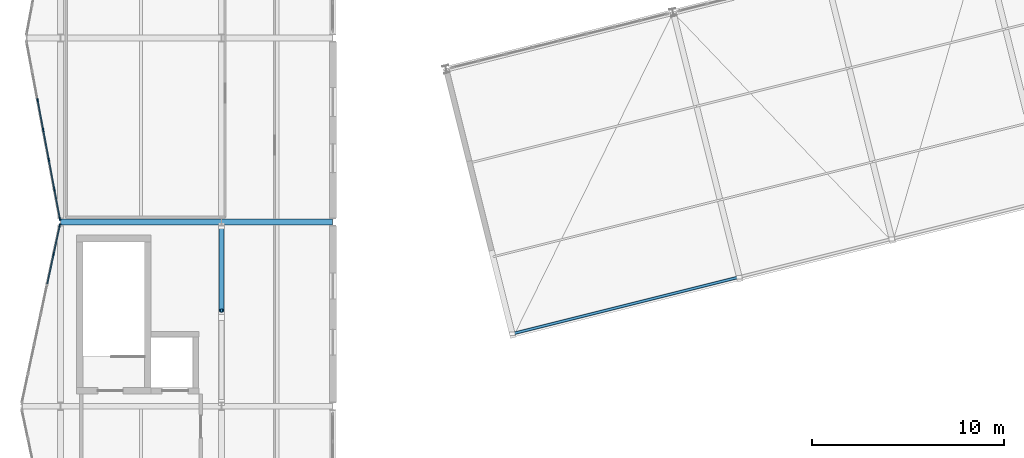
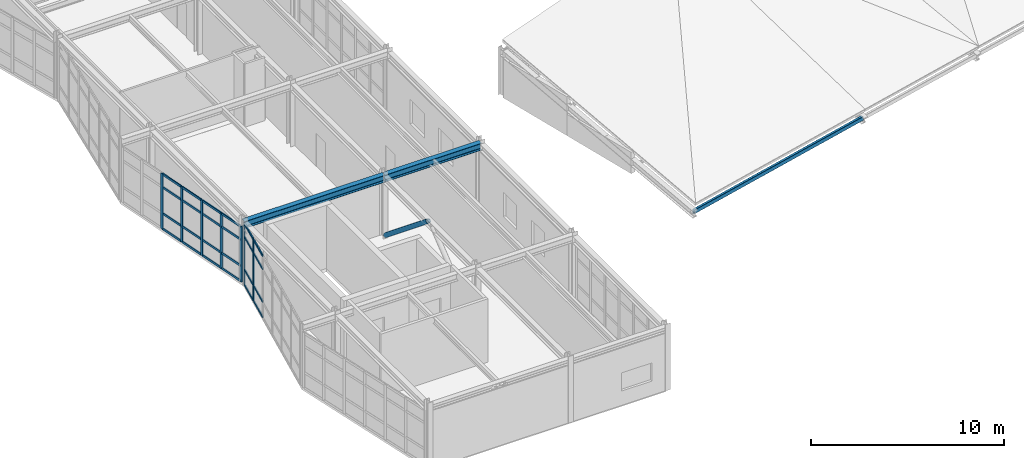
# One storey, part 8 of 47: 33 members, 2 beams, 2 elements without a shape of their own.
"""IFC4 building model written with IfcOpenShell, lengths in metres."""

from ifc_helpers import new_model, si_unit, direction, frame, origin, origin_2d, place, context, subcontext, project, spatial, rectangle, hollow_rectangle, hollow_circle, i_section, extrude, material, layer, layer_set, material_profile, profile_set, type_object, element, aggregate, save


model = new_model("IFC4")

# Units and contexts
model_context = context("Model", 3, precision=1e-05, world=origin(), true_north=direction((0.0, 1.0)))
body_context = subcontext(model_context, "Body", "Model", "MODEL_VIEW")
ifc_project = project(units=[si_unit("LENGTHUNIT", "METRE"), si_unit("AREAUNIT", "SQUARE_METRE"), si_unit("VOLUMEUNIT", "CUBIC_METRE"), si_unit("PLANEANGLEUNIT", "RADIAN"), si_unit("MASSUNIT", "GRAM", prefix="KILO")], contexts=[model_context])

# Site, building, storey
site_placement = place(None, origin())
site = spatial("IfcSite", under=ifc_project, at=site_placement, CompositionType="ELEMENT")
building_placement = place(site_placement, origin())
building = spatial("IfcBuilding", under=site, at=building_placement, Name="Nordkorset Police Headquarters", CompositionType="ELEMENT")
storey_placement = place(building_placement, frame((0.0, 0.0, 22.050048828125)))
storey = spatial("IfcBuildingStorey", under=building, at=storey_placement, Name="L05", CompositionType="ELEMENT", Elevation=22.050048828125)

# Member
ifc_material_1 = material(Name="Steel S355J2", Category="steel")
ifc_material_profile_1 = material_profile(ifc_material_1, hollow_circle(Radius=0.136474609375, WallThickness=0.012451171875, at=origin_2d()), Name="CHS 273x12.5")
ifc_profile_set_1 = profile_set([ifc_material_profile_1], Name="Steel S355J2")
member_type_1 = type_object("IfcMemberType", Name="Brace_CHS_273x12.5", PredefinedType="BRACE", material=ifc_profile_set_1)
member_1_placement = place(storey_placement, frame((8.39990234375, 47.800048828125, 0.199951171875), z_axis=(0.0, -0.777085920374, 0.629394528382), x_axis=(1.0, 0.0, 0.0)))
element("IfcMember", 1, at=member_1_placement, inside=storey, type_object=member_type_1, Name="Lateral Chevron Brace BF-V3-A L05 D2", PredefinedType="BRACE", context=body_context, shape_type="SweptSolid", body=[
    extrude(hollow_circle(Radius=0.136474609375, WallThickness=0.012451171875, at=origin_2d()), origin(), (0.0, 0.0, 1.0), 5.688232421875),
])

# Curtain wall, members
ifc_material_2 = material(Name="Aluminium alloy AW-6060", Category="aluminium")
ifc_layer_1 = layer(ifc_material_2, 0.179931640625, Name="Aluminium alloy AW-6060")
ifc_layer_set_1 = layer_set([ifc_layer_1], Name="Aluminium alloy AW-6060")
curtain_wall_type_1 = type_object("IfcCurtainWallType", Name="CW_Unit_954x392", PredefinedType="USERDEFINED", material=ifc_layer_set_1)
curtain_wall_1_placement = place(storey_placement, origin())
curtain_wall_1 = element("IfcCurtainWall", 2, at=curtain_wall_1_placement, inside=storey, type_object=curtain_wall_type_1, Name="Unitised Curtain Wall L05 V3W-1", ObjectType="UNITISED CURTAIN WALL", PredefinedType="USERDEFINED")
ifc_material_3 = material(Name="Aluminium alloy AW-6060", Category="aluminium")
ifc_material_profile_2 = material_profile(ifc_material_3, rectangle(XDim=0.06494140625, YDim=0.179931640625, at=origin_2d()), Name="ALU MULL 65x180")
ifc_profile_set_2 = profile_set([ifc_material_profile_2], Name="Aluminium alloy AW-6060")
member_type_2 = type_object("IfcMemberType", Name="CW_Mullion_65x180", PredefinedType="MULLION", material=ifc_profile_set_2)
member_2_placement = place(storey_placement, frame((-0.361083984375, 46.308837890625, 0.0), z_axis=(0.0, 0.0, 1.0), x_axis=(-0.977951416289, 0.208832534289, 0.0)))
member_2 = element("IfcMember", 3, at=member_2_placement, type_object=member_type_2, Name="CW-20 mullion 6", PredefinedType="MULLION", context=body_context, shape_type="SweptSolid", body=[
    extrude(rectangle(XDim=0.06494140625, YDim=0.179931640625, at=origin_2d()), origin(), (0.0, 0.0, 1.0), 3.919921875),
])
member_3_placement = place(storey_placement, frame((-0.0361328125, 47.831298828125, 0.0), z_axis=(0.0, 0.0, 1.0), x_axis=(-0.977951416289, 0.208832534289, 0.0)))
member_3 = element("IfcMember", 4, at=member_3_placement, type_object=member_type_2, Name="CW-20 mullion 7", PredefinedType="MULLION", context=body_context, shape_type="SweptSolid", body=[
    extrude(rectangle(XDim=0.06494140625, YDim=0.179931640625, at=origin_2d()), origin(), (0.0, 0.0, 1.0), 3.919921875),
])

ifc_material_4 = material(Name="Aluminium alloy AW-6060", Category="aluminium")
ifc_layer_2 = layer(ifc_material_4, 0.179931640625, Name="Aluminium alloy AW-6060")
ifc_layer_set_2 = layer_set([ifc_layer_2], Name="Aluminium alloy AW-6060")
curtain_wall_type_2 = type_object("IfcCurtainWallType", Name="CW_Unit_949x350", PredefinedType="USERDEFINED", material=ifc_layer_set_2)
curtain_wall_2_placement = place(storey_placement, origin())
curtain_wall_2 = element("IfcCurtainWall", 5, at=curtain_wall_2_placement, inside=storey, type_object=curtain_wall_type_2, Name="Unitised Curtain Wall L05 V3W-2", ObjectType="UNITISED CURTAIN WALL", PredefinedType="USERDEFINED")
member_4_placement = place(storey_placement, frame((-0.03173828125, 48.16943359375, 0.0), z_axis=(0.0, 0.0, 1.0), x_axis=(-0.982872186935, -0.184288535048, 0.0)))
member_4 = element("IfcMember", 6, at=member_4_placement, type_object=member_type_2, Name="CW-78 mullion 1", PredefinedType="MULLION", context=body_context, shape_type="SweptSolid", body=[
    extrude(rectangle(XDim=0.06494140625, YDim=0.179931640625, at=origin_2d()), origin(), (0.0, 0.0, 1.0), 3.5048828125),
])
member_5_placement = place(storey_placement, frame((-0.317138671875, 49.691650390625, 0.0), z_axis=(0.0, 0.0, 1.0), x_axis=(-0.982872186935, -0.184288535048, 0.0)))
member_5 = element("IfcMember", 7, at=member_5_placement, type_object=member_type_2, Name="CW-78 mullion 2", PredefinedType="MULLION", context=body_context, shape_type="SweptSolid", body=[
    extrude(rectangle(XDim=0.06494140625, YDim=0.179931640625, at=origin_2d()), origin(), (0.0, 0.0, 1.0), 3.5048828125),
])
member_6_placement = place(storey_placement, frame((-0.608642578125, 51.245849609375, 0.0), z_axis=(0.0, 0.0, 1.0), x_axis=(-0.982872186935, -0.184288535048, 0.0)))
member_6 = element("IfcMember", 8, at=member_6_placement, type_object=member_type_2, Name="CW-78 mullion 3", PredefinedType="MULLION", context=body_context, shape_type="SweptSolid", body=[
    extrude(rectangle(XDim=0.06494140625, YDim=0.179931640625, at=origin_2d()), origin(), (0.0, 0.0, 1.0), 3.5048828125),
])
member_7_placement = place(storey_placement, frame((-0.89990234375, 52.800048828125, 0.0), z_axis=(0.0, 0.0, 1.0), x_axis=(-0.982872186935, -0.184288535048, 0.0)))
member_7 = element("IfcMember", 9, at=member_7_placement, type_object=member_type_2, Name="CW-78 mullion 4", PredefinedType="MULLION", context=body_context, shape_type="SweptSolid", body=[
    extrude(rectangle(XDim=0.06494140625, YDim=0.179931640625, at=origin_2d()), origin(), (0.0, 0.0, 1.0), 3.5048828125),
])
member_8_placement = place(storey_placement, frame((-1.19140625, 54.354248046875, 0.0), z_axis=(0.0, 0.0, 1.0), x_axis=(-0.982872186935, -0.184288535048, 0.0)))
member_8 = element("IfcMember", 10, at=member_8_placement, type_object=member_type_2, Name="CW-78 mullion 5", PredefinedType="MULLION", context=body_context, shape_type="SweptSolid", body=[
    extrude(rectangle(XDim=0.06494140625, YDim=0.179931640625, at=origin_2d()), origin(), (0.0, 0.0, 1.0), 3.5048828125),
])

# Member
ifc_material_5 = material(Name="Aluminium alloy AW-6060", Category="aluminium")
ifc_material_profile_3 = material_profile(ifc_material_5, rectangle(XDim=0.06494140625, YDim=0.139892578125, at=origin_2d()), Name="ALU TRAN 65x140")
ifc_profile_set_3 = profile_set([ifc_material_profile_3], Name="Aluminium alloy AW-6060")
member_type_3 = type_object("IfcMemberType", Name="CW_Transom_65x140", PredefinedType="USERDEFINED", material=ifc_profile_set_3)
member_9_placement = place(storey_placement, frame((-0.686279296875, 44.7861328125, 0.032470703125), z_axis=(0.208850890154, 0.977947496383, 0.0), x_axis=(-0.977947496383, 0.208850890154, 0.0)))
member_9 = element("IfcMember", 11, at=member_9_placement, type_object=member_type_3, Name="CW-20 transom 5.1", ObjectType="TRANSOM", PredefinedType="USERDEFINED", context=body_context, shape_type="SweptSolid", body=[
    extrude(rectangle(XDim=0.06494140625, YDim=0.139892578125, at=origin_2d()), origin(), (0.0, 0.0, 1.0), 1.5244140625),
])

member_10_placement = place(storey_placement, frame((-0.686279296875, 44.7861328125, 1.0), z_axis=(0.208850890154, 0.977947496383, 0.0), x_axis=(-0.977947496383, 0.208850890154, 0.0)))
member_10 = element("IfcMember", 12, at=member_10_placement, type_object=member_type_3, Name="CW-20 transom 5.2", ObjectType="TRANSOM", PredefinedType="USERDEFINED", context=body_context, shape_type="SweptSolid", body=[
    extrude(rectangle(XDim=0.06494140625, YDim=0.139892578125, at=origin_2d()), origin(), (0.0, 0.0, 1.0), 1.5244140625),
])

member_11_placement = place(storey_placement, frame((-0.686279296875, 44.7861328125, 3.070068359375), z_axis=(0.208850890154, 0.977947496383, 0.0), x_axis=(-0.977947496383, 0.208850890154, 0.0)))
member_11 = element("IfcMember", 13, at=member_11_placement, type_object=member_type_3, Name="CW-20 transom 5.3", ObjectType="TRANSOM", PredefinedType="USERDEFINED", context=body_context, shape_type="SweptSolid", body=[
    extrude(rectangle(XDim=0.06494140625, YDim=0.139892578125, at=origin_2d()), origin(), (0.0, 0.0, 1.0), 1.5244140625),
])

member_12_placement = place(storey_placement, frame((-0.686279296875, 44.7861328125, 3.887451171875), z_axis=(0.208850890154, 0.977947496383, 0.0), x_axis=(-0.977947496383, 0.208850890154, 0.0)))
member_12 = element("IfcMember", 14, at=member_12_placement, type_object=member_type_3, Name="CW-20 transom 5.4", ObjectType="TRANSOM", PredefinedType="USERDEFINED", context=body_context, shape_type="SweptSolid", body=[
    extrude(rectangle(XDim=0.06494140625, YDim=0.139892578125, at=origin_2d()), origin(), (0.0, 0.0, 1.0), 1.5244140625),
])

member_13_placement = place(storey_placement, frame((-0.3544921875, 46.340576171875, 0.032470703125), z_axis=(0.208970278443, 0.977921992148, 0.0), x_axis=(-0.977921992148, 0.208970278443, 0.0)))
member_13 = element("IfcMember", 15, at=member_13_placement, type_object=member_type_3, Name="CW-20 transom 6.1", ObjectType="TRANSOM", PredefinedType="USERDEFINED", context=body_context, shape_type="SweptSolid", body=[
    extrude(rectangle(XDim=0.06494140625, YDim=0.139892578125, at=origin_2d()), origin(), (0.0, 0.0, 1.0), 1.491943359375),
])

member_14_placement = place(storey_placement, frame((-0.3544921875, 46.340576171875, 1.0), z_axis=(0.208970278443, 0.977921992148, 0.0), x_axis=(-0.977921992148, 0.208970278443, 0.0)))
member_14 = element("IfcMember", 16, at=member_14_placement, type_object=member_type_3, Name="CW-20 transom 6.2", ObjectType="TRANSOM", PredefinedType="USERDEFINED", context=body_context, shape_type="SweptSolid", body=[
    extrude(rectangle(XDim=0.06494140625, YDim=0.139892578125, at=origin_2d()), origin(), (0.0, 0.0, 1.0), 1.491943359375),
])

member_15_placement = place(storey_placement, frame((-0.3544921875, 46.340576171875, 3.070068359375), z_axis=(0.208970278443, 0.977921992148, 0.0), x_axis=(-0.977921992148, 0.208970278443, 0.0)))
member_15 = element("IfcMember", 17, at=member_15_placement, type_object=member_type_3, Name="CW-20 transom 6.3", ObjectType="TRANSOM", PredefinedType="USERDEFINED", context=body_context, shape_type="SweptSolid", body=[
    extrude(rectangle(XDim=0.06494140625, YDim=0.139892578125, at=origin_2d()), origin(), (0.0, 0.0, 1.0), 1.491943359375),
])

member_16_placement = place(storey_placement, frame((-0.3544921875, 46.340576171875, 3.887451171875), z_axis=(0.208970278443, 0.977921992148, 0.0), x_axis=(-0.977921992148, 0.208970278443, 0.0)))
member_16 = element("IfcMember", 18, at=member_16_placement, type_object=member_type_3, Name="CW-20 transom 6.4", ObjectType="TRANSOM", PredefinedType="USERDEFINED", context=body_context, shape_type="SweptSolid", body=[
    extrude(rectangle(XDim=0.06494140625, YDim=0.139892578125, at=origin_2d()), origin(), (0.0, 0.0, 1.0), 1.491943359375),
])

aggregate(curtain_wall_1, [member_2, member_3, member_9, member_10, member_11, member_12, member_13, member_14, member_15, member_16])

member_17_placement = place(storey_placement, frame((-0.037841796875, 48.201416015625, 0.032470703125), z_axis=(-0.184298470268, 0.982870324029, 0.0), x_axis=(-0.982870324029, -0.184298470268, 0.0)))
member_17 = element("IfcMember", 19, at=member_17_placement, type_object=member_type_3, Name="CW-78 transom 1.1", ObjectType="TRANSOM", PredefinedType="USERDEFINED", context=body_context, shape_type="SweptSolid", body=[
    extrude(rectangle(XDim=0.06494140625, YDim=0.139892578125, at=origin_2d()), origin(), (0.0, 0.0, 1.0), 1.483642578125),
])

member_18_placement = place(storey_placement, frame((-0.037841796875, 48.201416015625, 1.0), z_axis=(-0.184298470268, 0.982870324029, 0.0), x_axis=(-0.982870324029, -0.184298470268, 0.0)))
member_18 = element("IfcMember", 20, at=member_18_placement, type_object=member_type_3, Name="CW-78 transom 1.2", ObjectType="TRANSOM", PredefinedType="USERDEFINED", context=body_context, shape_type="SweptSolid", body=[
    extrude(rectangle(XDim=0.06494140625, YDim=0.139892578125, at=origin_2d()), origin(), (0.0, 0.0, 1.0), 1.483642578125),
])

member_19_placement = place(storey_placement, frame((-0.037841796875, 48.201416015625, 2.655029296875), z_axis=(-0.184298470268, 0.982870324029, 0.0), x_axis=(-0.982870324029, -0.184298470268, 0.0)))
member_19 = element("IfcMember", 21, at=member_19_placement, type_object=member_type_3, Name="CW-78 transom 1.3", ObjectType="TRANSOM", PredefinedType="USERDEFINED", context=body_context, shape_type="SweptSolid", body=[
    extrude(rectangle(XDim=0.06494140625, YDim=0.139892578125, at=origin_2d()), origin(), (0.0, 0.0, 1.0), 1.483642578125),
])

member_20_placement = place(storey_placement, frame((-0.037841796875, 48.201416015625, 3.472412109375), z_axis=(-0.184298470268, 0.982870324029, 0.0), x_axis=(-0.982870324029, -0.184298470268, 0.0)))
member_20 = element("IfcMember", 22, at=member_20_placement, type_object=member_type_3, Name="CW-78 transom 1.4", ObjectType="TRANSOM", PredefinedType="USERDEFINED", context=body_context, shape_type="SweptSolid", body=[
    extrude(rectangle(XDim=0.06494140625, YDim=0.139892578125, at=origin_2d()), origin(), (0.0, 0.0, 1.0), 1.483642578125),
])

member_21_placement = place(storey_placement, frame((-0.3232421875, 49.7236328125, 0.032470703125), z_axis=(-0.184210757138, 0.982886767107, 0.0), x_axis=(-0.982886767107, -0.184210757138, 0.0)))
member_21 = element("IfcMember", 23, at=member_21_placement, type_object=member_type_3, Name="CW-78 transom 2.1", ObjectType="TRANSOM", PredefinedType="USERDEFINED", context=body_context, shape_type="SweptSolid", body=[
    extrude(rectangle(XDim=0.06494140625, YDim=0.139892578125, at=origin_2d()), origin(), (0.0, 0.0, 1.0), 1.51611328125),
])

member_22_placement = place(storey_placement, frame((-0.3232421875, 49.7236328125, 1.0), z_axis=(-0.184210757138, 0.982886767107, 0.0), x_axis=(-0.982886767107, -0.184210757138, 0.0)))
member_22 = element("IfcMember", 24, at=member_22_placement, type_object=member_type_3, Name="CW-78 transom 2.2", ObjectType="TRANSOM", PredefinedType="USERDEFINED", context=body_context, shape_type="SweptSolid", body=[
    extrude(rectangle(XDim=0.06494140625, YDim=0.139892578125, at=origin_2d()), origin(), (0.0, 0.0, 1.0), 1.51611328125),
])

member_23_placement = place(storey_placement, frame((-0.3232421875, 49.7236328125, 2.655029296875), z_axis=(-0.184210757138, 0.982886767107, 0.0), x_axis=(-0.982886767107, -0.184210757138, 0.0)))
member_23 = element("IfcMember", 25, at=member_23_placement, type_object=member_type_3, Name="CW-78 transom 2.3", ObjectType="TRANSOM", PredefinedType="USERDEFINED", context=body_context, shape_type="SweptSolid", body=[
    extrude(rectangle(XDim=0.06494140625, YDim=0.139892578125, at=origin_2d()), origin(), (0.0, 0.0, 1.0), 1.51611328125),
])

member_24_placement = place(storey_placement, frame((-0.3232421875, 49.7236328125, 3.472412109375), z_axis=(-0.184210757138, 0.982886767107, 0.0), x_axis=(-0.982886767107, -0.184210757138, 0.0)))
member_24 = element("IfcMember", 26, at=member_24_placement, type_object=member_type_3, Name="CW-78 transom 2.4", ObjectType="TRANSOM", PredefinedType="USERDEFINED", context=body_context, shape_type="SweptSolid", body=[
    extrude(rectangle(XDim=0.06494140625, YDim=0.139892578125, at=origin_2d()), origin(), (0.0, 0.0, 1.0), 1.51611328125),
])

member_25_placement = place(storey_placement, frame((-0.614501953125, 51.27783203125, 0.032470703125), z_axis=(-0.1843663095, 0.98285760104, 0.0), x_axis=(-0.98285760104, -0.1843663095, 0.0)))
member_25 = element("IfcMember", 27, at=member_25_placement, type_object=member_type_3, Name="CW-78 transom 3.1", ObjectType="TRANSOM", PredefinedType="USERDEFINED", context=body_context, shape_type="SweptSolid", body=[
    extrude(rectangle(XDim=0.06494140625, YDim=0.139892578125, at=origin_2d()), origin(), (0.0, 0.0, 1.0), 1.51611328125),
])

member_26_placement = place(storey_placement, frame((-0.614501953125, 51.27783203125, 1.0), z_axis=(-0.1843663095, 0.98285760104, 0.0), x_axis=(-0.98285760104, -0.1843663095, 0.0)))
member_26 = element("IfcMember", 28, at=member_26_placement, type_object=member_type_3, Name="CW-78 transom 3.2", ObjectType="TRANSOM", PredefinedType="USERDEFINED", context=body_context, shape_type="SweptSolid", body=[
    extrude(rectangle(XDim=0.06494140625, YDim=0.139892578125, at=origin_2d()), origin(), (0.0, 0.0, 1.0), 1.51611328125),
])

member_27_placement = place(storey_placement, frame((-0.614501953125, 51.27783203125, 2.655029296875), z_axis=(-0.1843663095, 0.98285760104, 0.0), x_axis=(-0.98285760104, -0.1843663095, 0.0)))
member_27 = element("IfcMember", 29, at=member_27_placement, type_object=member_type_3, Name="CW-78 transom 3.3", ObjectType="TRANSOM", PredefinedType="USERDEFINED", context=body_context, shape_type="SweptSolid", body=[
    extrude(rectangle(XDim=0.06494140625, YDim=0.139892578125, at=origin_2d()), origin(), (0.0, 0.0, 1.0), 1.51611328125),
])

member_28_placement = place(storey_placement, frame((-0.614501953125, 51.27783203125, 3.472412109375), z_axis=(-0.1843663095, 0.98285760104, 0.0), x_axis=(-0.98285760104, -0.1843663095, 0.0)))
member_28 = element("IfcMember", 30, at=member_28_placement, type_object=member_type_3, Name="CW-78 transom 3.4", ObjectType="TRANSOM", PredefinedType="USERDEFINED", context=body_context, shape_type="SweptSolid", body=[
    extrude(rectangle(XDim=0.06494140625, YDim=0.139892578125, at=origin_2d()), origin(), (0.0, 0.0, 1.0), 1.51611328125),
])

member_29_placement = place(storey_placement, frame((-0.906005859375, 52.83203125, 0.032470703125), z_axis=(-0.184210757138, 0.982886767107, 0.0), x_axis=(-0.982886767107, -0.184210757138, 0.0)))
member_29 = element("IfcMember", 31, at=member_29_placement, type_object=member_type_3, Name="CW-78 transom 4.1", ObjectType="TRANSOM", PredefinedType="USERDEFINED", context=body_context, shape_type="SweptSolid", body=[
    extrude(rectangle(XDim=0.06494140625, YDim=0.139892578125, at=origin_2d()), origin(), (0.0, 0.0, 1.0), 1.51611328125),
])

member_30_placement = place(storey_placement, frame((-0.906005859375, 52.83203125, 1.0), z_axis=(-0.184210757138, 0.982886767107, 0.0), x_axis=(-0.982886767107, -0.184210757138, 0.0)))
member_30 = element("IfcMember", 32, at=member_30_placement, type_object=member_type_3, Name="CW-78 transom 4.2", ObjectType="TRANSOM", PredefinedType="USERDEFINED", context=body_context, shape_type="SweptSolid", body=[
    extrude(rectangle(XDim=0.06494140625, YDim=0.139892578125, at=origin_2d()), origin(), (0.0, 0.0, 1.0), 1.51611328125),
])

member_31_placement = place(storey_placement, frame((-0.906005859375, 52.83203125, 2.655029296875), z_axis=(-0.184210757138, 0.982886767107, 0.0), x_axis=(-0.982886767107, -0.184210757138, 0.0)))
member_31 = element("IfcMember", 33, at=member_31_placement, type_object=member_type_3, Name="CW-78 transom 4.3", ObjectType="TRANSOM", PredefinedType="USERDEFINED", context=body_context, shape_type="SweptSolid", body=[
    extrude(rectangle(XDim=0.06494140625, YDim=0.139892578125, at=origin_2d()), origin(), (0.0, 0.0, 1.0), 1.51611328125),
])

member_32_placement = place(storey_placement, frame((-0.906005859375, 52.83203125, 3.472412109375), z_axis=(-0.184210757138, 0.982886767107, 0.0), x_axis=(-0.982886767107, -0.184210757138, 0.0)))
member_32 = element("IfcMember", 34, at=member_32_placement, type_object=member_type_3, Name="CW-78 transom 4.4", ObjectType="TRANSOM", PredefinedType="USERDEFINED", context=body_context, shape_type="SweptSolid", body=[
    extrude(rectangle(XDim=0.06494140625, YDim=0.139892578125, at=origin_2d()), origin(), (0.0, 0.0, 1.0), 1.51611328125),
])

aggregate(curtain_wall_2, [member_4, member_5, member_6, member_7, member_8, member_17, member_18, member_19, member_20, member_21, member_22, member_23, member_24, member_25, member_26, member_27, member_28, member_29, member_30, member_31, member_32])

ifc_material_6 = material(Name="Steel S355J2", Category="steel")
ifc_material_profile_4 = material_profile(ifc_material_6, hollow_rectangle(XDim=0.14990234375, YDim=0.25, WallThickness=0.010009765625, InnerFilletRadius=0.010009765625, OuterFilletRadius=0.02001953125, at=origin_2d()), Name="RHS 250x150x10")
ifc_profile_set_4 = profile_set([ifc_material_profile_4], Name="Steel S355J2")
member_type_4 = type_object("IfcMemberType", Name="Chord_RHS_250x150x10", PredefinedType="CHORD", material=ifc_profile_set_4)
member_33_placement = place(storey_placement, frame((23.562255859375, 42.176025390625, -0.2099609375), z_axis=(0.970141321816, 0.242540338307, 0.0), x_axis=(-0.242540338307, 0.970141321816, 0.0)))
element("IfcMember", 35, at=member_33_placement, inside=storey, type_object=member_type_4, Name="Splayed Wing Folded Roof Low Chord Bay 1", PredefinedType="CHORD", context=body_context, shape_type="SweptSolid", body=[
    extrude(hollow_rectangle(XDim=0.14990234375, YDim=0.25, WallThickness=0.010009765625, InnerFilletRadius=0.010009765625, OuterFilletRadius=0.02001953125, at=origin_2d()), origin(), (0.0, 0.0, 1.0), 12.18798828125),
])

# Beams
ifc_material_7 = material(Name="Steel S355J2", Category="steel")
ifc_material_profile_5 = material_profile(ifc_material_7, i_section(OverallWidth=0.300048828125, OverallDepth=0.43994140625, WebThickness=0.011474609375, FlangeThickness=0.02099609375, FilletRadius=0.027099609375, at=origin_2d()), Name="HEA 450")
ifc_profile_set_5 = profile_set([ifc_material_profile_5], Name="Steel S355J2")
beam_type = type_object("IfcBeamType", Name="Girder_HEA_450", PredefinedType="USERDEFINED", material=ifc_profile_set_5)
beam_1_placement = place(storey_placement, frame((0.006591796875, 48.0, 3.744873046875), z_axis=(1.0, 0.0, 0.0), x_axis=(0.0, 1.0, 0.0)))
element("IfcBeam", 36, at=beam_1_placement, inside=storey, type_object=beam_type, Name="Girder V3 L05 GX-2-0", ObjectType="GIRDER", PredefinedType="USERDEFINED", context=body_context, shape_type="SweptSolid", body=[
    extrude(i_section(OverallWidth=0.300048828125, OverallDepth=0.43994140625, WebThickness=0.011474609375, FlangeThickness=0.02099609375, FilletRadius=0.027099609375, at=origin_2d()), origin(), (0.0, 0.0, 1.0), 8.38671875),
])
beam_2_placement = place(storey_placement, frame((8.40673828125, 48.0, 3.744873046875), z_axis=(1.0, 0.0, 0.0), x_axis=(0.0, 1.0, 0.0)))
element("IfcBeam", 37, at=beam_2_placement, inside=storey, type_object=beam_type, Name="Girder V3 L05 GX-2-1", ObjectType="GIRDER", PredefinedType="USERDEFINED", context=body_context, shape_type="SweptSolid", body=[
    extrude(i_section(OverallWidth=0.300048828125, OverallDepth=0.43994140625, WebThickness=0.011474609375, FlangeThickness=0.02099609375, FilletRadius=0.027099609375, at=origin_2d()), origin(), (0.0, 0.0, 1.0), 5.78662109375),
])

save(model, "model.ifc")
